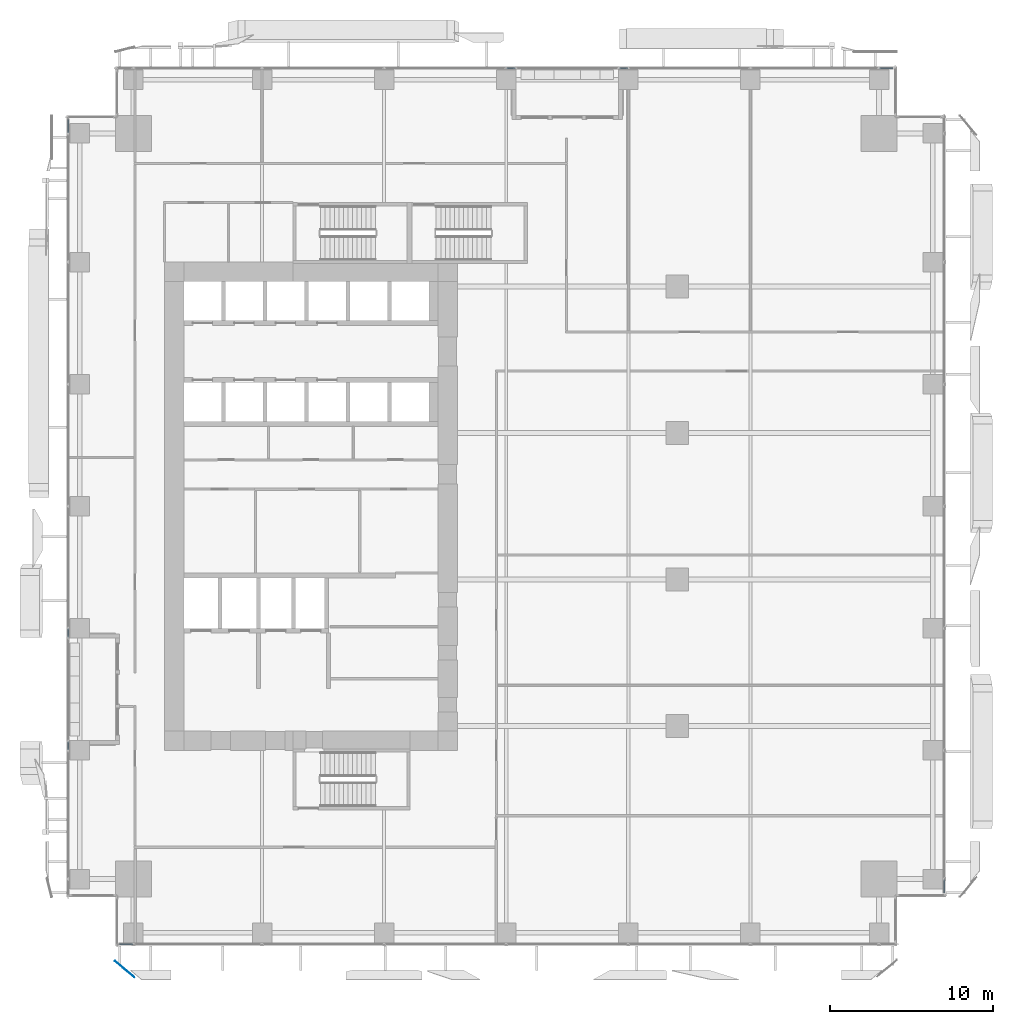
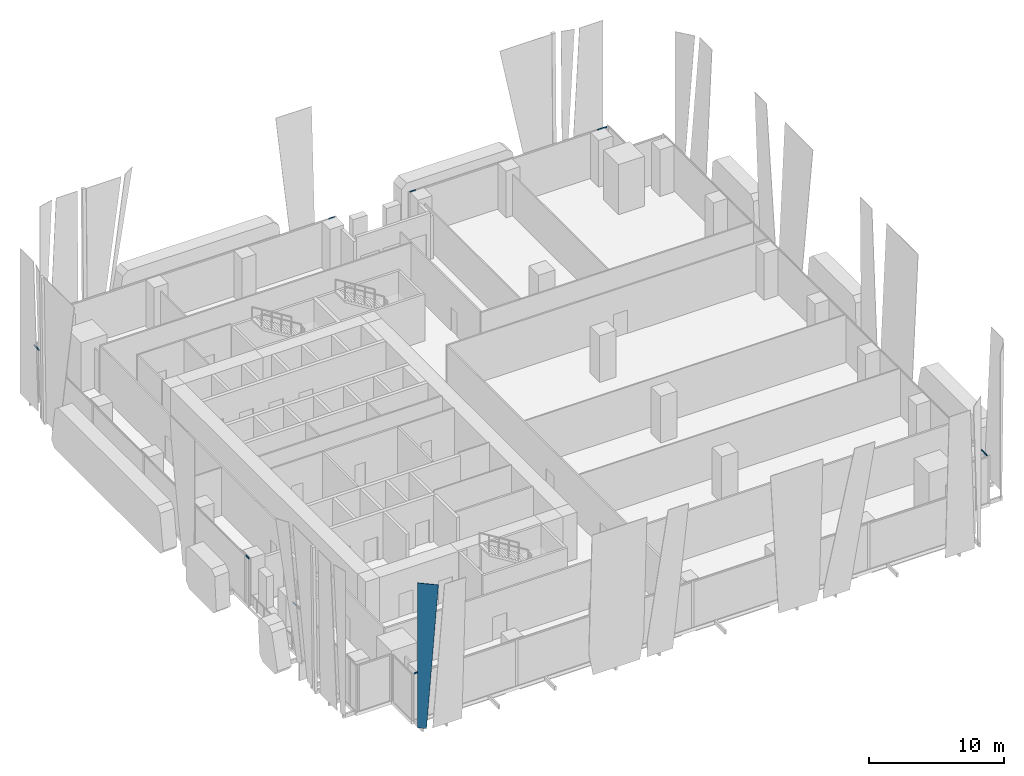
# One storey, part 22 of 36: 8 members, 1 plate, 6 elements without a shape of their own.
"""IFC4 building model written with IfcOpenShell, lengths in metres."""

from ifc_helpers import new_model, si_unit, direction, frame, origin, origin_2d, place, context, subcontext, project, spatial, polyline, hollow_rectangle, outline, extrude, source, transform, mapped, material, layer, layer_set, material_profile, profile_set, type_object, element, aggregate, save


model = new_model("IFC4")

# Units and contexts
model_context = context("Model", 3, precision=1e-05, world=origin(), true_north=direction((0.0, 1.0)))
body_context = subcontext(model_context, "Body", "Model", "MODEL_VIEW")
ifc_project = project(units=[si_unit("LENGTHUNIT", "METRE"), si_unit("AREAUNIT", "SQUARE_METRE"), si_unit("VOLUMEUNIT", "CUBIC_METRE"), si_unit("PLANEANGLEUNIT", "RADIAN"), si_unit("MASSUNIT", "GRAM", prefix="KILO")], contexts=[model_context])

# Site, building, storey
site_placement = place(None, origin())
site = spatial("IfcSite", under=ifc_project, at=site_placement, CompositionType="ELEMENT")
building_placement = place(site_placement, origin())
building = spatial("IfcBuilding", under=site, at=building_placement, Name="Khomas Fold Tower", CompositionType="ELEMENT")
storey_placement = place(building_placement, frame((0.0, 0.0, 46.5)))
storey = spatial("IfcBuildingStorey", under=building, at=storey_placement, Name="L09", CompositionType="ELEMENT", Elevation=46.5)

# Curtain wall, member
ifc_material_1 = material(Name="Aluminium framed double glazing", Category="aluminium")
curtain_wall_type = type_object("IfcCurtainWallType", Name="SK-Unitised clear-glass wall, growing floors CW1", PredefinedType="NOTDEFINED", material=ifc_material_1)
curtain_wall_1_placement = place(storey_placement, origin())
curtain_wall_1 = element("IfcCurtainWall", 1, at=curtain_wall_1_placement, inside=storey, type_object=curtain_wall_type, Name="CW1 run L09 00-0", PredefinedType="NOTDEFINED")
ifc_material_2 = material(Name="Aluminium", Category="aluminium")
ifc_material_profile = material_profile(ifc_material_2, hollow_rectangle(XDim=0.06005859375, YDim=0.1201171875, WallThickness=0.00390625, at=origin_2d()), Name="SK-Unitised clear-glass wall, growing floors transom CW1-T")
ifc_profile_set = profile_set([ifc_material_profile], Name="Aluminium")
member_type = type_object("IfcMemberType", Name="SK-Unitised clear-glass wall, growing floors transom CW1-T", PredefinedType="USERDEFINED", material=ifc_profile_set)
shared_shape_1 = source(origin(), body_context, "Body", "SweptSolid", [
    extrude(hollow_rectangle(XDim=0.06005859375, YDim=0.1201171875, WallThickness=0.00390625, at=origin_2d()), origin(), (0.0, 0.0, 1.0), 0.81005859375),
])
member_1_placement = place(storey_placement, frame((3.260009765625, 0.10009765625, 4.139892578125), z_axis=(1.0, 0.0, 0.0), x_axis=(0.0, 1.0, 0.0)))
member_1 = element("IfcMember", 2, at=member_1_placement, type_object=member_type, Name="CW1 transom 1", ObjectType="TRANSOM", PredefinedType="USERDEFINED", context=body_context, shape_type="MappedRepresentation", body=[
    mapped(shared_shape_1, transform((0.0, 0.0, 0.0))),
])
aggregate(curtain_wall_1, [member_1])

curtain_wall_2_placement = place(storey_placement, origin())
curtain_wall_2 = element("IfcCurtainWall", 3, at=curtain_wall_2_placement, inside=storey, type_object=curtain_wall_type, Name="CW1 run L09 03-0", PredefinedType="NOTDEFINED")
member_2_placement = place(storey_placement, frame((53.89990234375, 3.260009765625, 4.139892578125), z_axis=(0.0, 1.0, 0.0), x_axis=(-1.0, 0.0, 0.0)))
member_2 = element("IfcMember", 4, at=member_2_placement, type_object=member_type, Name="CW1 transom 1", ObjectType="TRANSOM", PredefinedType="USERDEFINED", context=body_context, shape_type="MappedRepresentation", body=[
    mapped(shared_shape_1, transform((0.0, 0.0, 0.0))),
])
aggregate(curtain_wall_2, [member_2])

curtain_wall_3_placement = place(storey_placement, origin())
curtain_wall_3 = element("IfcCurtainWall", 5, at=curtain_wall_3_placement, inside=storey, type_object=curtain_wall_type, Name="CW1 run L09 06-0", PredefinedType="NOTDEFINED")
member_3_placement = place(storey_placement, frame((50.739990234375, 53.89990234375, 4.139892578125), z_axis=(-1.0, 0.0, 0.0), x_axis=(0.0, -1.0, 0.0)))
member_3 = element("IfcMember", 6, at=member_3_placement, type_object=member_type, Name="CW1 transom 1", ObjectType="TRANSOM", PredefinedType="USERDEFINED", context=body_context, shape_type="MappedRepresentation", body=[
    mapped(shared_shape_1, transform((0.0, 0.0, 0.0))),
])

curtain_wall_4_placement = place(storey_placement, origin())
curtain_wall_4 = element("IfcCurtainWall", 7, at=curtain_wall_4_placement, inside=storey, type_object=curtain_wall_type, Name="CW1 run L09 09-0", PredefinedType="NOTDEFINED")
member_4_placement = place(storey_placement, frame((0.10009765625, 50.739990234375, 4.139892578125), z_axis=(0.0, -1.0, 0.0), x_axis=(1.0, 0.0, 0.0)))
member_4 = element("IfcMember", 8, at=member_4_placement, type_object=member_type, Name="CW1 transom 1", ObjectType="TRANSOM", PredefinedType="USERDEFINED", context=body_context, shape_type="MappedRepresentation", body=[
    mapped(shared_shape_1, transform((0.0, 0.0, 0.0))),
])

# Member
shared_shape_2 = source(origin(), body_context, "Body", "SweptSolid", [
    extrude(hollow_rectangle(XDim=0.06005859375, YDim=0.1201171875, WallThickness=0.00390625, at=origin_2d()), origin(), (0.0, 0.0, 1.0), 0.510009765625),
])
member_5_placement = place(storey_placement, frame((34.469970703125, 53.89990234375, 4.139892578125), z_axis=(-1.0, 0.0, 0.0), x_axis=(0.0, -1.0, 0.0)))
member_5 = element("IfcMember", 9, at=member_5_placement, type_object=member_type, Name="CW1 transom 4", ObjectType="TRANSOM", PredefinedType="USERDEFINED", context=body_context, shape_type="MappedRepresentation", body=[
    mapped(shared_shape_2, transform((0.0, 0.0, 0.0))),
])

aggregate(curtain_wall_3, [member_3, member_5])

# Curtain wall, member
curtain_wall_5_placement = place(storey_placement, origin())
curtain_wall_5 = element("IfcCurtainWall", 10, at=curtain_wall_5_placement, inside=storey, type_object=curtain_wall_type, Name="CW1 run L09 06-1", PredefinedType="NOTDEFINED")
member_6_placement = place(storey_placement, frame((27.5400390625, 53.89990234375, 4.139892578125), z_axis=(-1.0, 0.0, 0.0), x_axis=(0.0, -1.0, 0.0)))
member_6 = element("IfcMember", 11, at=member_6_placement, type_object=member_type, Name="CW1 transom 1", ObjectType="TRANSOM", PredefinedType="USERDEFINED", context=body_context, shape_type="MappedRepresentation", body=[
    mapped(shared_shape_2, transform((0.0, 0.0, 0.0))),
])
aggregate(curtain_wall_5, [member_6])

# Member
member_7_placement = place(storey_placement, frame((0.10009765625, 19.469970703125, 4.139892578125), z_axis=(0.0, -1.0, 0.0), x_axis=(1.0, 0.0, 0.0)))
member_7 = element("IfcMember", 12, at=member_7_placement, type_object=member_type, Name="CW1 transom 6", ObjectType="TRANSOM", PredefinedType="USERDEFINED", context=body_context, shape_type="MappedRepresentation", body=[
    mapped(shared_shape_2, transform((0.0, 0.0, 0.0))),
])

aggregate(curtain_wall_4, [member_4, member_7])

# Curtain wall, member
curtain_wall_6_placement = place(storey_placement, origin())
curtain_wall_6 = element("IfcCurtainWall", 13, at=curtain_wall_6_placement, inside=storey, type_object=curtain_wall_type, Name="CW1 run L09 09-1", PredefinedType="NOTDEFINED")
member_8_placement = place(storey_placement, frame((0.10009765625, 12.5400390625, 4.139892578125), z_axis=(0.0, -1.0, 0.0), x_axis=(1.0, 0.0, 0.0)))
member_8 = element("IfcMember", 14, at=member_8_placement, type_object=member_type, Name="CW1 transom 1", ObjectType="TRANSOM", PredefinedType="USERDEFINED", context=body_context, shape_type="MappedRepresentation", body=[
    mapped(shared_shape_2, transform((0.0, 0.0, 0.0))),
])
aggregate(curtain_wall_6, [member_8])

# Plate
ifc_material_3 = material(Name="Clear laminated glass", Category="glass")
ifc_layer = layer(ifc_material_3, 0.0400390625)
ifc_layer_set = layer_set([ifc_layer], Name="Clear laminated glass")
plate_type = type_object("IfcPlateType", Name="SK-Clear laminated glass leaf", PredefinedType="SHEET", material=ifc_layer_set)
plate_placement = place(storey_placement, frame((3.483642578125, -1.35498046875, 0.0), z_axis=(0.640151925773, 0.768248340007, 2.643485e-06), x_axis=(-0.768248340009, 0.640151925775, 1.38e-10)))
element("IfcPlate", 15, at=plate_placement, inside=storey, type_object=plate_type, Name="OUTER SKIN glass L09 SG098-2", PredefinedType="SHEET", context=body_context, shape_type="SweptSolid", body=[
    extrude(outline(polyline([(0.0, 0.0), (0.6628784385389868, 0.0), (0.6628784403343165, 13.050048828079401), (-0.8927258881764744, 13.050048828384604), (0.0, 0.0)])), origin(), (0.0, 0.0, -1.0), 0.0400390625),
])

save(model, "model.ifc")
